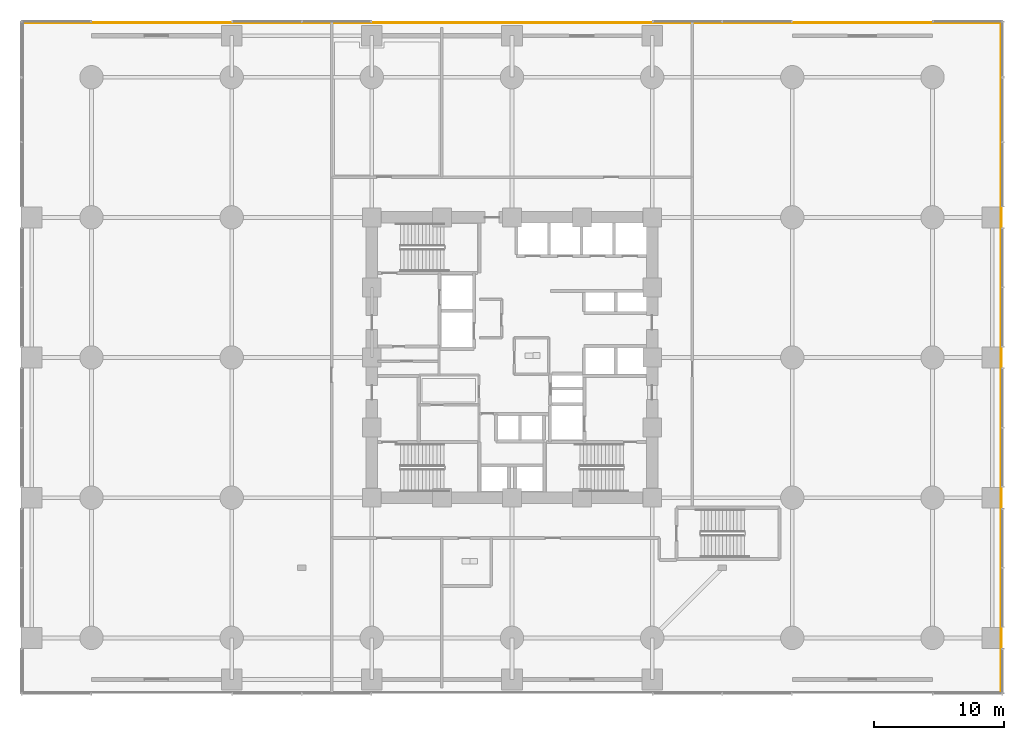
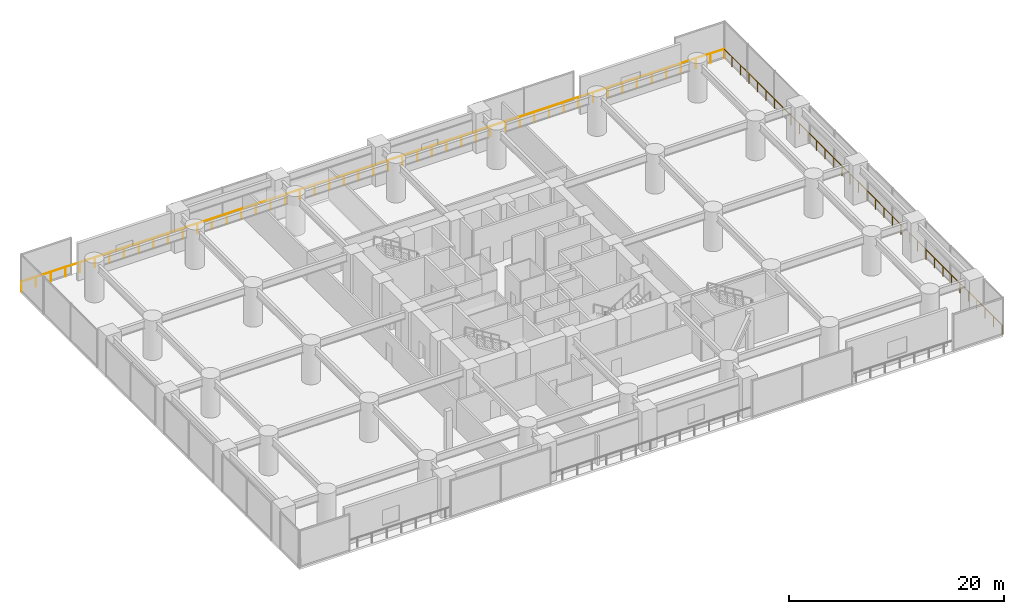
# One storey, part 35 of 36: 2 railings.
"""IFC4 building model written with IfcOpenShell, lengths in metres."""

import ifcopenshell
import ifcopenshell.guid

model = None  # the IFC model being written
_history = None  # IfcOwnerHistory: only IFC2X3 demands one
_inside = {}  # id of a spatial element -> (the spatial element, [elements in it])
_under = {}  # id of a project, library or spatial element -> (it, [spatial elements below it])
_declared = {}  # id of a project -> (the project, [libraries it declares])
_typed = {}  # id of a type object -> (the type object, [elements of that type])
_made_of = {}  # id of a material, layer set ... -> (it, [elements and type objects made of it])


def new_model(schema):
    """Start an empty IFC model of exactly this schema.

    Asked for "IFC4X3", IfcOpenShell would pick the latest addendum, in which some entities
    have other attributes; the version numbers below select the first issue.
    IFC2X3 requires an IfcOwnerHistory on every rooted entity: one is made here for all.
    """
    global model, _history
    if schema == "IFC4X3":
        model = ifcopenshell.file(schema_version=(4, 3, 0, 0))
    else:
        model = ifcopenshell.file(schema=schema)
    _inside.clear()
    _under.clear()
    _declared.clear()
    _typed.clear()
    _made_of.clear()
    _history = None
    if model.schema == "IFC2X3":
        org = make("IfcOrganization", Name="unknown")
        user = make(
            "IfcPersonAndOrganization",
            ThePerson=make("IfcPerson", FamilyName="unknown"),
            TheOrganization=org,
        )
        app = make(
            "IfcApplication",
            ApplicationDeveloper=org,
            Version="unknown",
            ApplicationFullName="unknown",
            ApplicationIdentifier="unknown",
        )
        _history = make(
            "IfcOwnerHistory",
            OwningUser=user,
            OwningApplication=app,
            ChangeAction="ADDED",
            CreationDate=0,
        )
    return model


def make(cls, **values):
    """One entity of the class cls with the attributes given. An attribute that is None is left unset."""
    return model.create_entity(
        cls, **{name: value for name, value in values.items() if value is not None}
    )


def rooted(cls, **values):
    """An entity with a GlobalId (a new one), such as an element, a storey or a relation."""
    return make(cls, GlobalId=ifcopenshell.guid.new(), OwnerHistory=_history, **values)


def si_unit(unit_type, name, prefix=None):
    """IfcSIUnit, for example si_unit("LENGTHUNIT", "METRE", prefix="MILLI")."""
    return make("IfcSIUnit", UnitType=unit_type, Prefix=prefix, Name=name)


def assignment(units):
    """IfcUnitAssignment: the units of a project."""
    return None if units is None else make("IfcUnitAssignment", Units=units)


def point(xyz):
    """IfcCartesianPoint."""
    return None if xyz is None else make("IfcCartesianPoint", Coordinates=xyz)


def direction(xyz):
    """IfcDirection."""
    return None if xyz is None else make("IfcDirection", DirectionRatios=xyz)


def frame(location, z_axis=None, x_axis=None):
    """IfcAxis2Placement3D, a coordinate frame: its origin and axes. An axis left out is left unset."""
    return make(
        "IfcAxis2Placement3D",
        Location=point(location),
        Axis=direction(z_axis),
        RefDirection=direction(x_axis),
    )


def frame_2d(location, x_axis=None):
    """IfcAxis2Placement2D, a coordinate frame in the plane: its origin and x axis."""
    return make(
        "IfcAxis2Placement2D", Location=point(location), RefDirection=direction(x_axis)
    )


def origin():
    """The frame at (0, 0, 0) with its axes left unset."""
    return frame((0.0, 0.0, 0.0))


def origin_2d():
    """The frame at (0, 0) in the plane with its x axis left unset."""
    return frame_2d((0.0, 0.0))


def place(relative_to, where):
    """IfcLocalPlacement: puts the frame where relative to a parent placement (None: the world)."""
    return make(
        "IfcLocalPlacement", PlacementRelTo=relative_to, RelativePlacement=where
    )


def context(
    kind, dimensions, precision=None, world=None, true_north=None, identifier=None
):
    """IfcGeometricRepresentationContext, for example the 3D "Model" context."""
    return make(
        "IfcGeometricRepresentationContext",
        ContextIdentifier=identifier,
        ContextType=kind,
        CoordinateSpaceDimension=dimensions,
        Precision=precision,
        WorldCoordinateSystem=world,
        TrueNorth=true_north,
    )


def subcontext(parent, identifier, kind, view, scale=None):
    """IfcGeometricRepresentationSubContext, for example "Body" below "Model"."""
    return make(
        "IfcGeometricRepresentationSubContext",
        ContextIdentifier=identifier,
        ContextType=kind,
        ParentContext=parent,
        TargetScale=scale,
        TargetView=view,
    )


def project(units=None, contexts=None):
    """IfcProject with its units and contexts."""
    return rooted(
        "IfcProject",
        Name="project",
        RepresentationContexts=contexts,
        UnitsInContext=assignment(units),
    )


def spatial(cls, under=None, at=None, **own):
    """A site, building, storey or space (cls), placed at a placement, below another one or the project."""
    s = rooted(cls, ObjectPlacement=at, **own)
    if under is not None:
        _under.setdefault(under.id(), (under, []))[1].append(s)
    return s


def profile(cls, at=None, kind="AREA", **sizes):
    """A parametric profile (cls). Its sizes go by their IFC names, for example OverallWidth=200.0."""
    return make(cls, ProfileType=kind, Position=at, **sizes)


def circle(**sizes):
    """IfcCircleProfileDef."""
    return profile("IfcCircleProfileDef", **sizes)


def extrude(swept, where, along, depth):
    """IfcExtrudedAreaSolid: the profile swept, set in the frame where, extruded along a direction by depth."""
    return make(
        "IfcExtrudedAreaSolid",
        SweptArea=swept,
        Position=where,
        ExtrudedDirection=direction(along),
        Depth=depth,
    )


def shape(context_of_items, identifier, shape_type, items):
    """IfcShapeRepresentation: the items that make up one representation, for example the "Body"."""
    return make(
        "IfcShapeRepresentation",
        ContextOfItems=context_of_items,
        RepresentationIdentifier=identifier,
        RepresentationType=shape_type,
        Items=items,
    )


def material(Name=None, Category=None):
    """IfcMaterial."""
    return make("IfcMaterial", Name=Name, Category=Category)


def made_of(thing, what):
    """Note that an element or type object is made of a material, layer set ...; save() writes the relation."""
    if what is not None:
        _made_of.setdefault(what.id(), (what, []))[1].append(thing)
    return thing


def type_object(cls, material=None, **own):
    """A type object (cls), such as IfcWallType, which elements share."""
    return made_of(rooted(cls, **own), material)


def element(
    cls,
    number,
    at=None,
    inside=None,
    cuts=None,
    type_object=None,
    material=None,
    context=None,
    identifier="Body",
    shape_type=None,
    held_by="IfcProductDefinitionShape",
    body=None,
    shapes=None,
    **own,
):
    """One element of the class cls, such as IfcWall. Its Tag is "e" and its number.

    at: its placement. inside: the storey or other place that contains it. cuts: it is an
    opening in that element (IfcRelVoidsElement). A single representation is given by context,
    identifier, shape_type and body (its items); several are given by shapes. held_by: the class
    of the entity that holds the representations. save() writes the other relations.
    """
    e = rooted(cls, Tag="e%d" % number, ObjectPlacement=at, **own)
    if body is not None:
        shapes = [shape(context, identifier, shape_type, body)]
    if shapes is not None:
        e.Representation = make(held_by, Representations=shapes)
    if inside is not None:
        _inside.setdefault(inside.id(), (inside, []))[1].append(e)
    if cuts is not None:
        rooted(
            "IfcRelVoidsElement", RelatingBuildingElement=cuts, RelatedOpeningElement=e
        )
    if type_object is not None:
        _typed.setdefault(type_object.id(), (type_object, []))[1].append(e)
    return made_of(e, material)


def aggregate(whole, parts):
    """IfcRelAggregates: a whole, such as a stair, and the parts it consists of."""
    return rooted("IfcRelAggregates", RelatingObject=whole, RelatedObjects=parts)


def save(model, path):
    """Write the relations noted so far, then the file.

    IfcRelAggregates (storeys below a building ...), IfcRelContainedInSpatialStructure (elements
    in a storey), IfcRelDefinesByType, IfcRelAssociatesMaterial and IfcRelDeclares: one each for
    every whole, place, type object, material and project.
    """
    for whole, parts in _under.values():
        aggregate(whole, parts)
    for where, things in _inside.values():
        rooted(
            "IfcRelContainedInSpatialStructure",
            RelatedElements=things,
            RelatingStructure=where,
        )
    for kind, things in _typed.values():
        rooted("IfcRelDefinesByType", RelatedObjects=things, RelatingType=kind)
    for what, things in _made_of.values():
        rooted("IfcRelAssociatesMaterial", RelatedObjects=things, RelatingMaterial=what)
    for by, libraries in _declared.values():
        rooted("IfcRelDeclares", RelatingContext=by, RelatedDefinitions=libraries)
    model.write(path)


model = new_model("IFC4")

# Units and contexts
model_context = context("Model", 3, precision=1e-05, world=origin(), true_north=direction((0.0, 1.0)))
body_context = subcontext(model_context, "Body", "Model", "MODEL_VIEW")
ifc_project = project(units=[si_unit("LENGTHUNIT", "METRE"), si_unit("AREAUNIT", "SQUARE_METRE"), si_unit("VOLUMEUNIT", "CUBIC_METRE"), si_unit("PLANEANGLEUNIT", "RADIAN"), si_unit("MASSUNIT", "GRAM", prefix="KILO")], contexts=[model_context])

# Site, building, storey
site_placement = place(None, origin())
site = spatial("IfcSite", under=ifc_project, at=site_placement, CompositionType="ELEMENT")
building_placement = place(site_placement, origin())
building = spatial("IfcBuilding", under=site, at=building_placement, Name="Surkhivell Harbour Commons", CompositionType="ELEMENT")
storey_placement = place(building_placement, frame((0.0, 0.0, 9.0)))
storey = spatial("IfcBuildingStorey", under=building, at=storey_placement, Name="L02", CompositionType="ELEMENT", Elevation=9.0)

# Railings
ifc_material = material(Name="Laminated safety glass and stainless steel S355 balustrade", Category="steel")
railing_type = type_object("IfcRailingType", Name="RAL-BAL-1150", PredefinedType="BALUSTRADE", material=ifc_material)
railing_1_placement = place(storey_placement, frame((37.699951171875, -25.89990234375, 0.0)))
element("IfcRailing", 1, at=railing_1_placement, inside=storey, type_object=railing_type, Name="L02 Perimeter Safety Guard 02", PredefinedType="BALUSTRADE", context=body_context, shape_type="SweptSolid", body=[
    extrude(circle(Radius=0.02392578125, at=origin_2d()), frame((0.0, 0.0, 1.1259765625), z_axis=(0.0, 1.0, 0.0), x_axis=(-1.0, 0.0, 0.0)), (0.0, 0.0, 1.0), 51.7998046875),
    extrude(circle(Radius=0.02099609375, at=origin_2d()), origin(), (0.0, 0.0, 1.0), 1.101806640625),
    extrude(circle(Radius=0.02099609375, at=origin_2d()), frame((0.0, 1.569580078125, 0.0)), (0.0, 0.0, 1.0), 1.101806640625),
    extrude(circle(Radius=0.02099609375, at=origin_2d()), frame((0.0, 3.139404296875, 0.0)), (0.0, 0.0, 1.0), 1.101806640625),
    extrude(circle(Radius=0.02099609375, at=origin_2d()), frame((0.0, 4.708984375, 0.0)), (0.0, 0.0, 1.0), 1.101806640625),
    extrude(circle(Radius=0.02099609375, at=origin_2d()), frame((0.0, 6.27880859375, 0.0)), (0.0, 0.0, 1.0), 1.101806640625),
    extrude(circle(Radius=0.02099609375, at=origin_2d()), frame((0.0, 7.848388671875, 0.0)), (0.0, 0.0, 1.0), 1.101806640625),
    extrude(circle(Radius=0.02099609375, at=origin_2d()), frame((0.0, 9.418212890625, 0.0)), (0.0, 0.0, 1.0), 1.101806640625),
    extrude(circle(Radius=0.02099609375, at=origin_2d()), frame((0.0, 10.98779296875, 0.0)), (0.0, 0.0, 1.0), 1.101806640625),
    extrude(circle(Radius=0.02099609375, at=origin_2d()), frame((0.0, 12.5576171875, 0.0)), (0.0, 0.0, 1.0), 1.101806640625),
    extrude(circle(Radius=0.02099609375, at=origin_2d()), frame((0.0, 14.127197265625, 0.0)), (0.0, 0.0, 1.0), 1.101806640625),
    extrude(circle(Radius=0.02099609375, at=origin_2d()), frame((0.0, 15.697021484375, 0.0)), (0.0, 0.0, 1.0), 1.101806640625),
    extrude(circle(Radius=0.02099609375, at=origin_2d()), frame((0.0, 17.2666015625, 0.0)), (0.0, 0.0, 1.0), 1.101806640625),
    extrude(circle(Radius=0.02099609375, at=origin_2d()), frame((0.0, 18.836181640625, 0.0)), (0.0, 0.0, 1.0), 1.101806640625),
    extrude(circle(Radius=0.02099609375, at=origin_2d()), frame((0.0, 20.406005859375, 0.0)), (0.0, 0.0, 1.0), 1.101806640625),
    extrude(circle(Radius=0.02099609375, at=origin_2d()), frame((0.0, 21.9755859375, 0.0)), (0.0, 0.0, 1.0), 1.101806640625),
    extrude(circle(Radius=0.02099609375, at=origin_2d()), frame((0.0, 23.54541015625, 0.0)), (0.0, 0.0, 1.0), 1.101806640625),
    extrude(circle(Radius=0.02099609375, at=origin_2d()), frame((0.0, 25.114990234375, 0.0)), (0.0, 0.0, 1.0), 1.101806640625),
    extrude(circle(Radius=0.02099609375, at=origin_2d()), frame((0.0, 26.684814453125, 0.0)), (0.0, 0.0, 1.0), 1.101806640625),
    extrude(circle(Radius=0.02099609375, at=origin_2d()), frame((0.0, 28.25439453125, 0.0)), (0.0, 0.0, 1.0), 1.101806640625),
    extrude(circle(Radius=0.02099609375, at=origin_2d()), frame((0.0, 29.82421875, 0.0)), (0.0, 0.0, 1.0), 1.101806640625),
    extrude(circle(Radius=0.02099609375, at=origin_2d()), frame((0.0, 31.393798828125, 0.0)), (0.0, 0.0, 1.0), 1.101806640625),
    extrude(circle(Radius=0.02099609375, at=origin_2d()), frame((0.0, 32.963623046875, 0.0)), (0.0, 0.0, 1.0), 1.101806640625),
    extrude(circle(Radius=0.02099609375, at=origin_2d()), frame((0.0, 34.533203125, 0.0)), (0.0, 0.0, 1.0), 1.101806640625),
    extrude(circle(Radius=0.02099609375, at=origin_2d()), frame((0.0, 36.102783203125, 0.0)), (0.0, 0.0, 1.0), 1.101806640625),
    extrude(circle(Radius=0.02099609375, at=origin_2d()), frame((0.0, 37.672607421875, 0.0)), (0.0, 0.0, 1.0), 1.101806640625),
    extrude(circle(Radius=0.02099609375, at=origin_2d()), frame((0.0, 39.2421875, 0.0)), (0.0, 0.0, 1.0), 1.101806640625),
    extrude(circle(Radius=0.02099609375, at=origin_2d()), frame((0.0, 40.81201171875, 0.0)), (0.0, 0.0, 1.0), 1.101806640625),
    extrude(circle(Radius=0.02099609375, at=origin_2d()), frame((0.0, 42.381591796875, 0.0)), (0.0, 0.0, 1.0), 1.101806640625),
    extrude(circle(Radius=0.02099609375, at=origin_2d()), frame((0.0, 43.951416015625, 0.0)), (0.0, 0.0, 1.0), 1.101806640625),
    extrude(circle(Radius=0.02099609375, at=origin_2d()), frame((0.0, 45.52099609375, 0.0)), (0.0, 0.0, 1.0), 1.101806640625),
    extrude(circle(Radius=0.02099609375, at=origin_2d()), frame((0.0, 47.0908203125, 0.0)), (0.0, 0.0, 1.0), 1.101806640625),
    extrude(circle(Radius=0.02099609375, at=origin_2d()), frame((0.0, 48.660400390625, 0.0)), (0.0, 0.0, 1.0), 1.101806640625),
    extrude(circle(Radius=0.02099609375, at=origin_2d()), frame((0.0, 50.230224609375, 0.0)), (0.0, 0.0, 1.0), 1.101806640625),
    extrude(circle(Radius=0.02099609375, at=origin_2d()), frame((0.0, 51.7998046875, 0.0)), (0.0, 0.0, 1.0), 1.101806640625),
])
railing_2_placement = place(storey_placement, frame((37.800048828125, 25.800048828125, 0.0)))
element("IfcRailing", 2, at=railing_2_placement, inside=storey, type_object=railing_type, Name="L02 Perimeter Safety Guard 03", PredefinedType="BALUSTRADE", context=body_context, shape_type="SweptSolid", body=[
    extrude(circle(Radius=0.02392578125, at=origin_2d()), frame((0.0, 0.0, 1.1259765625), z_axis=(-1.0, 0.0, 0.0), x_axis=(0.0, -1.0, 0.0)), (0.0, 0.0, 1.0), 75.60009765625),
    extrude(circle(Radius=0.02099609375, at=origin_2d()), origin(), (0.0, 0.0, 1.0), 1.101806640625),
    extrude(circle(Radius=0.02099609375, at=origin_2d()), frame((-1.574951171875, 0.0, 0.0)), (0.0, 0.0, 1.0), 1.101806640625),
    extrude(circle(Radius=0.02099609375, at=origin_2d()), frame((-3.14990234375, 0.0, 0.0)), (0.0, 0.0, 1.0), 1.101806640625),
    extrude(circle(Radius=0.02099609375, at=origin_2d()), frame((-4.72509765625, 0.0, 0.0)), (0.0, 0.0, 1.0), 1.101806640625),
    extrude(circle(Radius=0.02099609375, at=origin_2d()), frame((-6.300048828125, 0.0, 0.0)), (0.0, 0.0, 1.0), 1.101806640625),
    extrude(circle(Radius=0.02099609375, at=origin_2d()), frame((-7.875, 0.0, 0.0)), (0.0, 0.0, 1.0), 1.101806640625),
    extrude(circle(Radius=0.02099609375, at=origin_2d()), frame((-9.449951171875, 0.0, 0.0)), (0.0, 0.0, 1.0), 1.101806640625),
    extrude(circle(Radius=0.02099609375, at=origin_2d()), frame((-11.02490234375, 0.0, 0.0)), (0.0, 0.0, 1.0), 1.101806640625),
    extrude(circle(Radius=0.02099609375, at=origin_2d()), frame((-12.60009765625, 0.0, 0.0)), (0.0, 0.0, 1.0), 1.101806640625),
    extrude(circle(Radius=0.02099609375, at=origin_2d()), frame((-14.175048828125, 0.0, 0.0)), (0.0, 0.0, 1.0), 1.101806640625),
    extrude(circle(Radius=0.02099609375, at=origin_2d()), frame((-15.75, 0.0, 0.0)), (0.0, 0.0, 1.0), 1.101806640625),
    extrude(circle(Radius=0.02099609375, at=origin_2d()), frame((-17.324951171875, 0.0, 0.0)), (0.0, 0.0, 1.0), 1.101806640625),
    extrude(circle(Radius=0.02099609375, at=origin_2d()), frame((-18.89990234375, 0.0, 0.0)), (0.0, 0.0, 1.0), 1.101806640625),
    extrude(circle(Radius=0.02099609375, at=origin_2d()), frame((-20.47509765625, 0.0, 0.0)), (0.0, 0.0, 1.0), 1.101806640625),
    extrude(circle(Radius=0.02099609375, at=origin_2d()), frame((-22.050048828125, 0.0, 0.0)), (0.0, 0.0, 1.0), 1.101806640625),
    extrude(circle(Radius=0.02099609375, at=origin_2d()), frame((-23.625, 0.0, 0.0)), (0.0, 0.0, 1.0), 1.101806640625),
    extrude(circle(Radius=0.02099609375, at=origin_2d()), frame((-25.199951171875, 0.0, 0.0)), (0.0, 0.0, 1.0), 1.101806640625),
    extrude(circle(Radius=0.02099609375, at=origin_2d()), frame((-26.775146484375, 0.0, 0.0)), (0.0, 0.0, 1.0), 1.101806640625),
    extrude(circle(Radius=0.02099609375, at=origin_2d()), frame((-28.35009765625, 0.0, 0.0)), (0.0, 0.0, 1.0), 1.101806640625),
    extrude(circle(Radius=0.02099609375, at=origin_2d()), frame((-29.925048828125, 0.0, 0.0)), (0.0, 0.0, 1.0), 1.101806640625),
    extrude(circle(Radius=0.02099609375, at=origin_2d()), frame((-31.5, 0.0, 0.0)), (0.0, 0.0, 1.0), 1.101806640625),
    extrude(circle(Radius=0.02099609375, at=origin_2d()), frame((-33.074951171875, 0.0, 0.0)), (0.0, 0.0, 1.0), 1.101806640625),
    extrude(circle(Radius=0.02099609375, at=origin_2d()), frame((-34.650146484375, 0.0, 0.0)), (0.0, 0.0, 1.0), 1.101806640625),
    extrude(circle(Radius=0.02099609375, at=origin_2d()), frame((-36.22509765625, 0.0, 0.0)), (0.0, 0.0, 1.0), 1.101806640625),
    extrude(circle(Radius=0.02099609375, at=origin_2d()), frame((-37.800048828125, 0.0, 0.0)), (0.0, 0.0, 1.0), 1.101806640625),
    extrude(circle(Radius=0.02099609375, at=origin_2d()), frame((-39.375, 0.0, 0.0)), (0.0, 0.0, 1.0), 1.101806640625),
    extrude(circle(Radius=0.02099609375, at=origin_2d()), frame((-40.949951171875, 0.0, 0.0)), (0.0, 0.0, 1.0), 1.101806640625),
    extrude(circle(Radius=0.02099609375, at=origin_2d()), frame((-42.525146484375, 0.0, 0.0)), (0.0, 0.0, 1.0), 1.101806640625),
    extrude(circle(Radius=0.02099609375, at=origin_2d()), frame((-44.10009765625, 0.0, 0.0)), (0.0, 0.0, 1.0), 1.101806640625),
    extrude(circle(Radius=0.02099609375, at=origin_2d()), frame((-45.675048828125, 0.0, 0.0)), (0.0, 0.0, 1.0), 1.101806640625),
    extrude(circle(Radius=0.02099609375, at=origin_2d()), frame((-47.25, 0.0, 0.0)), (0.0, 0.0, 1.0), 1.101806640625),
    extrude(circle(Radius=0.02099609375, at=origin_2d()), frame((-48.824951171875, 0.0, 0.0)), (0.0, 0.0, 1.0), 1.101806640625),
    extrude(circle(Radius=0.02099609375, at=origin_2d()), frame((-50.400146484375, 0.0, 0.0)), (0.0, 0.0, 1.0), 1.101806640625),
    extrude(circle(Radius=0.02099609375, at=origin_2d()), frame((-51.97509765625, 0.0, 0.0)), (0.0, 0.0, 1.0), 1.101806640625),
    extrude(circle(Radius=0.02099609375, at=origin_2d()), frame((-53.550048828125, 0.0, 0.0)), (0.0, 0.0, 1.0), 1.101806640625),
    extrude(circle(Radius=0.02099609375, at=origin_2d()), frame((-55.125, 0.0, 0.0)), (0.0, 0.0, 1.0), 1.101806640625),
    extrude(circle(Radius=0.02099609375, at=origin_2d()), frame((-56.7001953125, 0.0, 0.0)), (0.0, 0.0, 1.0), 1.101806640625),
    extrude(circle(Radius=0.02099609375, at=origin_2d()), frame((-58.275146484375, 0.0, 0.0)), (0.0, 0.0, 1.0), 1.101806640625),
    extrude(circle(Radius=0.02099609375, at=origin_2d()), frame((-59.85009765625, 0.0, 0.0)), (0.0, 0.0, 1.0), 1.101806640625),
    extrude(circle(Radius=0.02099609375, at=origin_2d()), frame((-61.425048828125, 0.0, 0.0)), (0.0, 0.0, 1.0), 1.101806640625),
    extrude(circle(Radius=0.02099609375, at=origin_2d()), frame((-63.0, 0.0, 0.0)), (0.0, 0.0, 1.0), 1.101806640625),
    extrude(circle(Radius=0.02099609375, at=origin_2d()), frame((-64.5751953125, 0.0, 0.0)), (0.0, 0.0, 1.0), 1.101806640625),
    extrude(circle(Radius=0.02099609375, at=origin_2d()), frame((-66.150146484375, 0.0, 0.0)), (0.0, 0.0, 1.0), 1.101806640625),
    extrude(circle(Radius=0.02099609375, at=origin_2d()), frame((-67.72509765625, 0.0, 0.0)), (0.0, 0.0, 1.0), 1.101806640625),
    extrude(circle(Radius=0.02099609375, at=origin_2d()), frame((-69.300048828125, 0.0, 0.0)), (0.0, 0.0, 1.0), 1.101806640625),
    extrude(circle(Radius=0.02099609375, at=origin_2d()), frame((-70.875, 0.0, 0.0)), (0.0, 0.0, 1.0), 1.101806640625),
    extrude(circle(Radius=0.02099609375, at=origin_2d()), frame((-72.4501953125, 0.0, 0.0)), (0.0, 0.0, 1.0), 1.101806640625),
    extrude(circle(Radius=0.02099609375, at=origin_2d()), frame((-74.025146484375, 0.0, 0.0)), (0.0, 0.0, 1.0), 1.101806640625),
    extrude(circle(Radius=0.02099609375, at=origin_2d()), frame((-75.60009765625, 0.0, 0.0)), (0.0, 0.0, 1.0), 1.101806640625),
])

save(model, "model.ifc")
